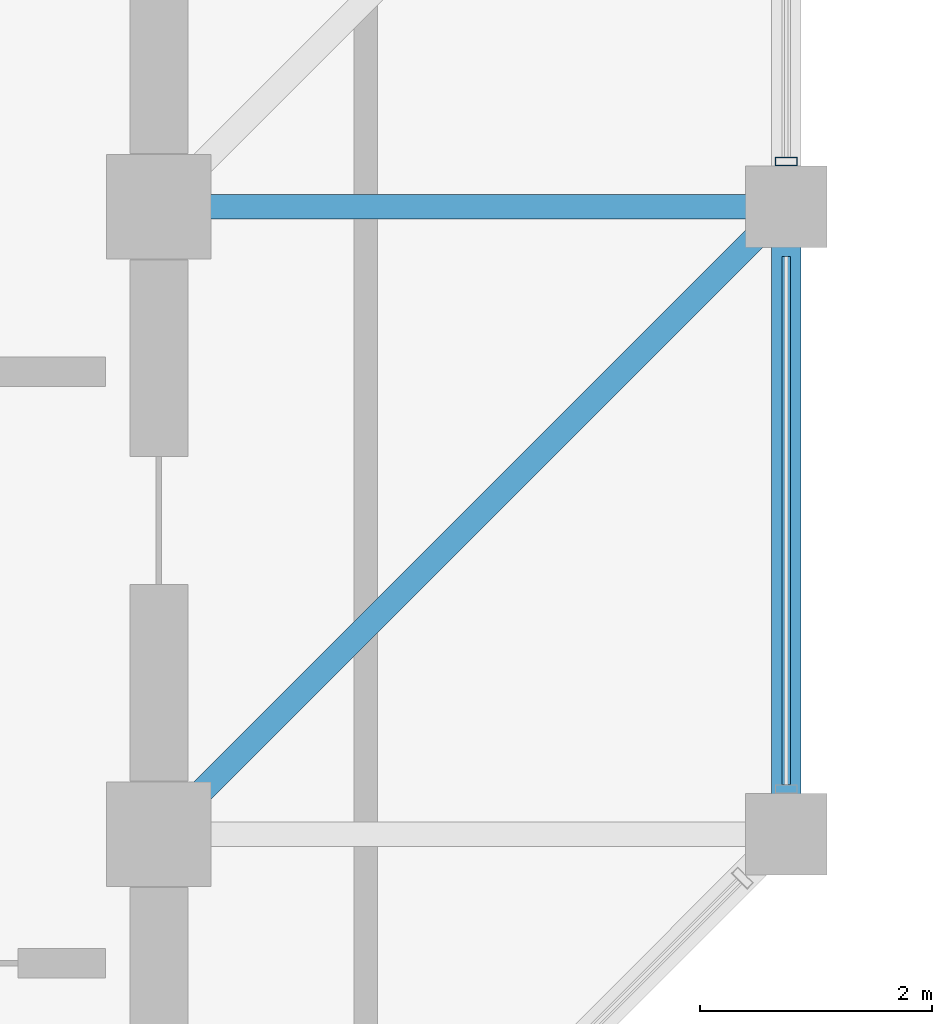
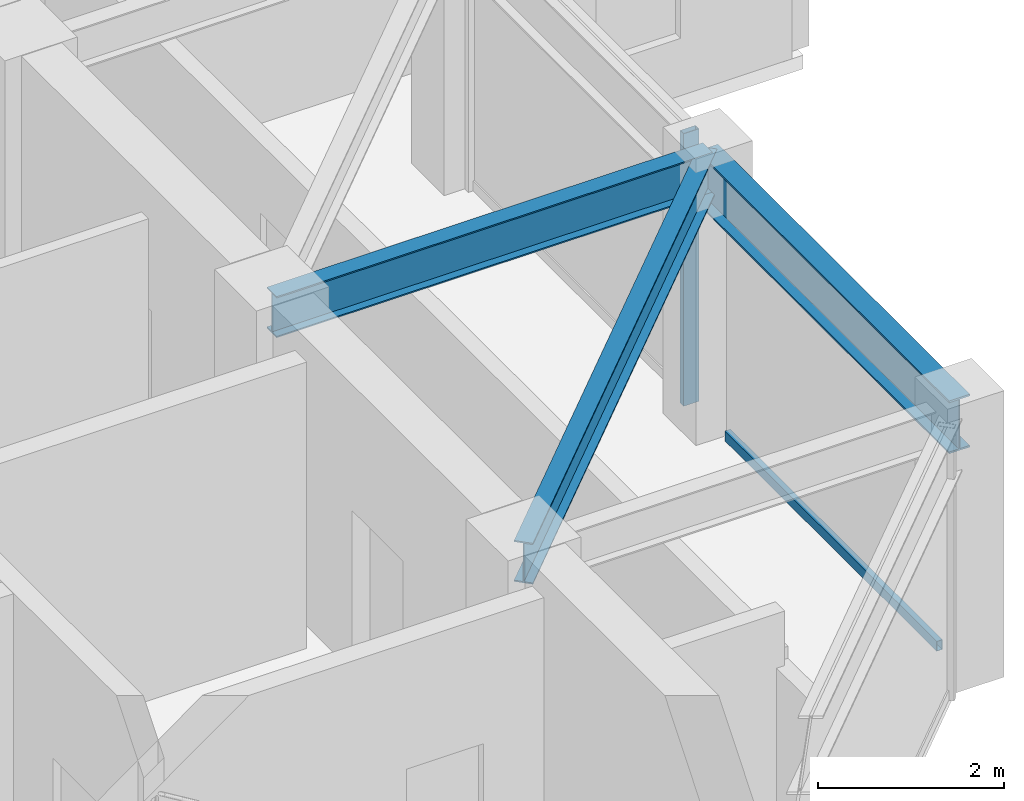
# One storey, part 10 of 31: 3 beams, 2 members, 1 element without a shape of its own.
"""IFC4 building model written with IfcOpenShell, lengths in metres."""

from ifc_helpers import new_model, si_unit, direction, frame, origin, origin_2d, place, context, subcontext, project, spatial, hollow_rectangle, i_section, extrude, material, layer, layer_set, material_profile, profile_set, type_object, element, aggregate, save


model = new_model("IFC4")

# Units and contexts
model_context = context("Model", 3, precision=1e-05, world=origin(), true_north=direction((0.0, 1.0)))
body_context = subcontext(model_context, "Body", "Model", "MODEL_VIEW")
ifc_project = project(units=[si_unit("LENGTHUNIT", "METRE"), si_unit("AREAUNIT", "SQUARE_METRE"), si_unit("VOLUMEUNIT", "CUBIC_METRE"), si_unit("PLANEANGLEUNIT", "RADIAN"), si_unit("MASSUNIT", "GRAM", prefix="KILO")], contexts=[model_context])

# Site, building, storey
site_placement = place(None, origin())
site = spatial("IfcSite", under=ifc_project, at=site_placement, CompositionType="ELEMENT")
building_placement = place(site_placement, origin())
building = spatial("IfcBuilding", under=site, at=building_placement, Name="Surkhivell Harbour Commons", CompositionType="ELEMENT")
storey_placement = place(building_placement, frame((0.0, 0.0, 266.25)))
storey = spatial("IfcBuildingStorey", under=building, at=storey_placement, Name="L69", CompositionType="ELEMENT", Elevation=266.25)

# Beams
ifc_material_1 = material(Name="Steel S355", Category="steel")
ifc_material_profile_1 = material_profile(ifc_material_1, i_section(OverallWidth=0.2099609375, OverallDepth=0.537109375, WebThickness=0.0107421875, FlangeThickness=0.017333984375, at=origin_2d()), Name="UB533x210x101")
ifc_profile_set_1 = profile_set([ifc_material_profile_1], Name="Steel S355")
beam_type_1 = type_object("IfcBeamType", Name="BM-GRD-533B", PredefinedType="BEAM", material=ifc_profile_set_1)
beam_1_placement = place(storey_placement, frame((10.800048828125, -5.39990234375, 3.301513671875), z_axis=(0.707106781187, 0.707106781187, 0.0), x_axis=(-0.707106781187, 0.707106781187, 0.0)))
element("IfcBeam", 1, at=beam_1_placement, inside=storey, type_object=beam_type_1, Name="L69 Floor Girder (10.8,-5.4)", PredefinedType="BEAM", context=body_context, shape_type="SweptSolid", body=[
    extrude(i_section(OverallWidth=0.2099609375, OverallDepth=0.537109375, WebThickness=0.0107421875, FlangeThickness=0.017333984375, at=origin_2d()), origin(), (0.0, 0.0, 1.0), 7.63671875),
])
beam_2_placement = place(storey_placement, frame((10.800048828125, 0.0, 3.301513671875), z_axis=(1.0, 0.0, 0.0), x_axis=(0.0, 1.0, 0.0)))
element("IfcBeam", 2, at=beam_2_placement, inside=storey, type_object=beam_type_1, Name="L69 Floor Girder (10.8,0.0)", PredefinedType="BEAM", context=body_context, shape_type="SweptSolid", body=[
    extrude(i_section(OverallWidth=0.2099609375, OverallDepth=0.537109375, WebThickness=0.0107421875, FlangeThickness=0.017333984375, at=origin_2d()), origin(), (0.0, 0.0, 1.0), 5.39990234375),
])
ifc_material_profile_2 = material_profile(ifc_material_1, i_section(OverallWidth=0.256103515625, OverallDepth=0.693115234375, WebThickness=0.014404296875, FlangeThickness=0.023681640625, at=origin_2d()), Name="UB686x254x170")
ifc_profile_set_2 = profile_set([ifc_material_profile_2], Name="Steel S355")
beam_type_2 = type_object("IfcBeamType", Name="BM-SPN-686", PredefinedType="SPANDREL", material=ifc_profile_set_2)
beam_3_placement = place(storey_placement, frame((16.199951171875, -5.39990234375, 3.223388671875), z_axis=(0.0, 1.0, 0.0), x_axis=(-1.0, 0.0, 0.0)))
element("IfcBeam", 3, at=beam_3_placement, inside=storey, type_object=beam_type_2, Name="L69 Tube Spandrel (16.2,-5.4)", PredefinedType="SPANDREL", context=body_context, shape_type="SweptSolid", body=[
    extrude(i_section(OverallWidth=0.256103515625, OverallDepth=0.693115234375, WebThickness=0.014404296875, FlangeThickness=0.023681640625, at=origin_2d()), origin(), (0.0, 0.0, 1.0), 5.39990234375),
])

# Curtain wall, members
ifc_material_2 = material(Name="Anodised pale-metal aluminium and insulated glazing", Category="aluminium")
ifc_layer = layer(ifc_material_2, 0.175048828125)
ifc_layer_set = layer_set([ifc_layer], Name="Anodised pale-metal aluminium and insulated glazing")
curtain_wall_type = type_object("IfcCurtainWallType", Name="CW-SYS-Z4", PredefinedType="NOTDEFINED", material=ifc_layer_set)
curtain_wall_placement = place(storey_placement, origin())
curtain_wall = element("IfcCurtainWall", 4, at=curtain_wall_placement, inside=storey, type_object=curtain_wall_type, Name="L69 Curtain Wall CW-L69-E02R1", PredefinedType="NOTDEFINED")
ifc_material_3 = material(Name="Anodised pale-metal aluminium alloy 6063-T6", Category="aluminium")
ifc_material_profile_3 = material_profile(ifc_material_3, hollow_rectangle(XDim=0.074951171875, YDim=0.18994140625, WallThickness=0.00390625, at=origin_2d()), Name="ALU-MULL-75x190")
ifc_profile_set_3 = profile_set([ifc_material_profile_3], Name="Anodised pale-metal aluminium alloy 6063-T6")
member_type_1 = type_object("IfcMemberType", Name="CWM-190", PredefinedType="MULLION", material=ifc_profile_set_3)
member_1_placement = place(storey_placement, frame((16.199951171875, 0.389404296875, 0.0), z_axis=(0.0, 0.0, 1.0), x_axis=(0.0, 1.0, 0.0)))
member_1 = element("IfcMember", 5, at=member_1_placement, type_object=member_type_1, Name="CW-Z4 mullion 2", PredefinedType="MULLION", context=body_context, shape_type="SweptSolid", body=[
    extrude(hollow_rectangle(XDim=0.074951171875, YDim=0.18994140625, WallThickness=0.00390625, at=origin_2d()), origin(), (0.0, 0.0, 1.0), 3.570068359375),
])
ifc_material_4 = material(Name="Champagne anodised aluminium alloy 6063-T6", Category="aluminium")
ifc_material_profile_4 = material_profile(ifc_material_4, hollow_rectangle(XDim=0.070068359375, YDim=0.1298828125, WallThickness=0.00341796875, at=origin_2d()), Name="ALU-TRAN-70x130")
ifc_profile_set_4 = profile_set([ifc_material_profile_4], Name="Champagne anodised aluminium alloy 6063-T6")
member_type_2 = type_object("IfcMemberType", Name="CWT-130", PredefinedType="USERDEFINED", material=ifc_profile_set_4)
member_2_placement = place(storey_placement, frame((16.199951171875, -4.972900390625, 0.06494140625), z_axis=(0.0, 1.0, 0.0), x_axis=(-1.0, 0.0, 0.0)))
member_2 = element("IfcMember", 6, at=member_2_placement, type_object=member_type_2, Name="CW-Z4 transom 1.1", ObjectType="TRANSOM", PredefinedType="USERDEFINED", context=body_context, shape_type="SweptSolid", body=[
    extrude(hollow_rectangle(XDim=0.070068359375, YDim=0.1298828125, WallThickness=0.00341796875, at=origin_2d()), origin(), (0.0, 0.0, 1.0), 4.5458984375),
])
aggregate(curtain_wall, [member_2, member_1])

save(model, "model.ifc")
